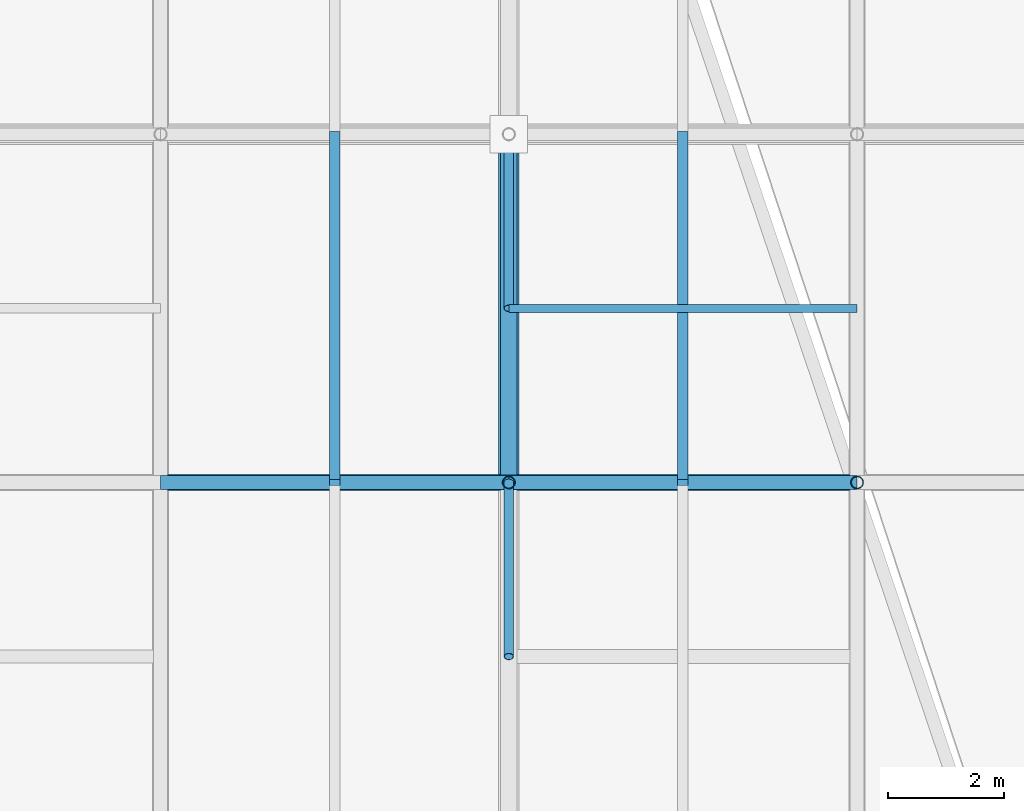
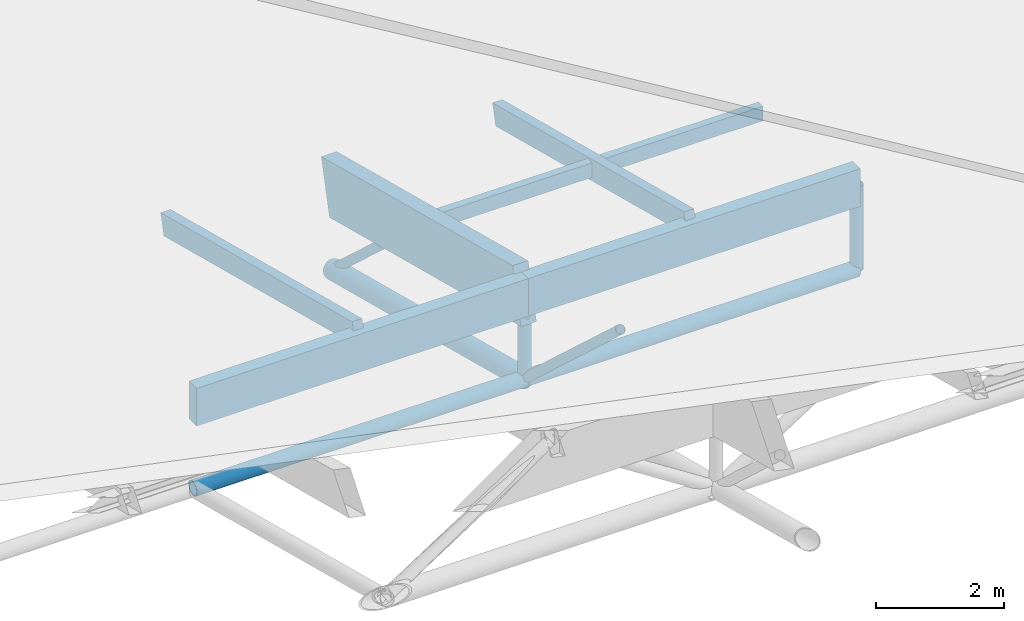
# One storey, part 53 of 80: 13 members.
"""IFC4 building model written with IfcOpenShell, lengths in metres."""

from ifc_helpers import new_model, si_unit, direction, frame, origin, origin_2d, place, context, subcontext, project, spatial, rectangle, hollow_circle, extrude, material, material_profile, profile_set, type_object, element, save


model = new_model("IFC4")

# Units and contexts
model_context = context("Model", 3, precision=1e-05, world=origin(), true_north=direction((0.0, 1.0)))
body_context = subcontext(model_context, "Body", "Model", "MODEL_VIEW")
ifc_project = project(units=[si_unit("LENGTHUNIT", "METRE"), si_unit("AREAUNIT", "SQUARE_METRE"), si_unit("VOLUMEUNIT", "CUBIC_METRE"), si_unit("PLANEANGLEUNIT", "RADIAN"), si_unit("MASSUNIT", "GRAM", prefix="KILO"), si_unit("THERMODYNAMICTEMPERATUREUNIT", "KELVIN"), si_unit("POWERUNIT", "WATT")], contexts=[model_context])

# Site, building, storey
site_placement = place(None, origin())
site = spatial("IfcSite", under=ifc_project, at=site_placement, CompositionType="ELEMENT")
building_placement = place(site_placement, origin())
building = spatial("IfcBuilding", under=site, at=building_placement, Name="Solmara Park Aquatics Centre", CompositionType="ELEMENT")
storey_placement = place(building_placement, frame((0.0, 0.0, 22.800048828125)))
storey = spatial("IfcBuildingStorey", under=building, at=storey_placement, Name="RF", CompositionType="ELEMENT", Elevation=22.800048828125)

# Members
ifc_material_1 = material(Name="Structural Steel S355", Category="steel")
ifc_material_profile_1 = material_profile(ifc_material_1, hollow_circle(Radius=0.084228515625, WallThickness=0.008056640625, at=origin_2d()), Name="CHS 168.3x8")
ifc_profile_set_1 = profile_set([ifc_material_profile_1], Name="Structural Steel S355")
member_type_1 = type_object("IfcMemberType", Name="STR-BRC-CHS168", PredefinedType="BRACE", material=ifc_profile_set_1)
member_1_placement = place(storey_placement, frame((36.60009765625, 66.60009765625, -9.58984375), z_axis=(0.0, -0.736437262703, 0.67650584484), x_axis=(1.0, 0.0, 0.0)))
element("IfcMember", 1, at=member_1_placement, inside=storey, type_object=member_type_1, Name="Roof Truss Web Diagonal Y 2099", PredefinedType="BRACE", context=body_context, shape_type="SweptSolid", body=[
    extrude(hollow_circle(Radius=0.084228515625, WallThickness=0.008056640625, at=origin_2d()), origin(), (0.0, 0.0, 1.0), 4.07373046875),
])
member_2_placement = place(storey_placement, frame((36.60009765625, 72.60009765625, -11.141357421875), z_axis=(0.0, -0.736467121275, 0.676473339667), x_axis=(1.0, 0.0, 0.0)))
element("IfcMember", 2, at=member_2_placement, inside=storey, type_object=member_type_1, Name="Roof Truss Web Diagonal Y 2122", PredefinedType="BRACE", context=body_context, shape_type="SweptSolid", body=[
    extrude(hollow_circle(Radius=0.084228515625, WallThickness=0.008056640625, at=origin_2d()), origin(), (0.0, 0.0, 1.0), 4.073486328125),
])
ifc_material_profile_2 = material_profile(ifc_material_1, hollow_circle(Radius=0.136474609375, WallThickness=0.012451171875, at=origin_2d()), Name="CHS 273x12.5")
ifc_profile_set_2 = profile_set([ifc_material_profile_2], Name="Structural Steel S355")
member_type_2 = type_object("IfcMemberType", Name="STR-CHD-CHS273", PredefinedType="CHORD", material=ifc_profile_set_2)
for number, where, z_axis, x_axis, name in (
    (3, (30.60009765625, 66.60009765625, -9.58984375), (1.0, 0.0, 0.0), (0.0, 1.0, 0.0), "Steel Roof Truss Bottom Chord X 0408"),
    (4, (36.60009765625, 66.60009765625, -9.58984375), (1.0, 0.0, 0.0), (0.0, 1.0, 0.0), "Steel Roof Truss Bottom Chord X 0410"),
):
    element("IfcMember", number, at=place(storey_placement, frame(where, z_axis=z_axis, x_axis=x_axis)), inside=storey, type_object=member_type_2, Name=name, PredefinedType="CHORD", context=body_context, shape_type="SweptSolid", body=[
        extrude(hollow_circle(Radius=0.136474609375, WallThickness=0.012451171875, at=origin_2d()), origin(), (0.0, 0.0, 1.0), 6.0),
    ])
ifc_material_profile_3 = material_profile(ifc_material_1, hollow_circle(Radius=0.177734375, WallThickness=0.01611328125, at=origin_2d()), Name="CHS 355.6x16")
ifc_profile_set_3 = profile_set([ifc_material_profile_3], Name="Structural Steel S355")
member_type_3 = type_object("IfcMemberType", Name="STR-CHD-CHS355", PredefinedType="CHORD", material=ifc_profile_set_3)
member_3_placement = place(storey_placement, frame((36.60009765625, 66.60009765625, -9.58984375), z_axis=(0.0, 0.968155143395, -0.250350990246), x_axis=(-1.0, 0.0, 0.0)))
element("IfcMember", 5, at=member_3_placement, inside=storey, type_object=member_type_3, Name="Steel Roof Truss Bottom Chord Y 0732", PredefinedType="CHORD", context=body_context, shape_type="SweptSolid", body=[
    extrude(hollow_circle(Radius=0.177734375, WallThickness=0.01611328125, at=origin_2d()), origin(), (0.0, 0.0, 1.0), 6.197265625),
])
ifc_material_2 = material(Name="Glulam Timber GL28h", Category="wood")
ifc_material_profile_4 = material_profile(ifc_material_2, rectangle(XDim=0.239990234375, YDim=0.719970703125, at=origin_2d()), Name="GL28h 240x720")
ifc_profile_set_4 = profile_set([ifc_material_profile_4], Name="Glulam Timber GL28h")
member_type_4 = type_object("IfcMemberType", Name="STR-CHD-GL240x720", PredefinedType="CHORD", material=ifc_profile_set_4)
for number, where, z_axis, x_axis, name in (
    (6, (30.60009765625, 66.60009765625, -7.9697265625), (1.0, 0.0, 0.0), (0.0, 1.0, 0.0), "Glulam Roof Truss Top Chord X 0407"),
    (7, (36.60009765625, 66.60009765625, -7.9697265625), (1.0, 0.0, 0.0), (0.0, 1.0, 0.0), "Glulam Roof Truss Top Chord X 0409"),
):
    element("IfcMember", number, at=place(storey_placement, frame(where, z_axis=z_axis, x_axis=x_axis)), inside=storey, type_object=member_type_4, Name=name, PredefinedType="CHORD", context=body_context, shape_type="SweptSolid", body=[
        extrude(rectangle(XDim=0.239990234375, YDim=0.719970703125, at=origin_2d()), origin(), (0.0, 0.0, 1.0), 6.0),
    ])
ifc_material_profile_5 = material_profile(ifc_material_2, rectangle(XDim=0.280029296875, YDim=1.0400390625, at=origin_2d()), Name="GL28h 280x1040")
ifc_profile_set_5 = profile_set([ifc_material_profile_5], Name="Glulam Timber GL28h")
member_type_5 = type_object("IfcMemberType", Name="STR-CHD-GL280x1040", PredefinedType="CHORD", material=ifc_profile_set_5)
member_4_placement = place(storey_placement, frame((36.60009765625, 66.60009765625, -7.9697265625), z_axis=(0.0, 0.968145594442, -0.250387914969), x_axis=(-1.0, 0.0, 0.0)))
element("IfcMember", 8, at=member_4_placement, inside=storey, type_object=member_type_5, Name="Glulam Roof Truss Top Chord Y 0731", PredefinedType="CHORD", context=body_context, shape_type="SweptSolid", body=[
    extrude(rectangle(XDim=0.280029296875, YDim=1.0400390625, at=origin_2d()), origin(), (0.0, 0.0, 1.0), 6.197509765625),
])
ifc_material_profile_6 = material_profile(ifc_material_2, rectangle(XDim=0.139892578125, YDim=0.280029296875, at=origin_2d()), Name="GL28h 140x280")
ifc_profile_set_6 = profile_set([ifc_material_profile_6], Name="Glulam Timber GL28h")
member_type_6 = type_object("IfcMemberType", Name="STR-PRL-GL140x280", PredefinedType="PURLIN", material=ifc_profile_set_6)
member_5_placement = place(storey_placement, frame((36.60009765625, 69.60009765625, -8.40576171875), z_axis=(1.0, 0.0, 0.0), x_axis=(0.0, 1.0, 0.0)))
element("IfcMember", 9, at=member_5_placement, inside=storey, type_object=member_type_6, Name="Glulam Secondary Roof Purlin 2111", PredefinedType="PURLIN", context=body_context, shape_type="SweptSolid", body=[
    extrude(rectangle(XDim=0.139892578125, YDim=0.280029296875, at=origin_2d()), origin(), (0.0, 0.0, 1.0), 6.0),
])
ifc_material_profile_7 = material_profile(ifc_material_2, rectangle(XDim=0.179931640625, YDim=0.39990234375, at=origin_2d()), Name="GL28h 180x400")
ifc_profile_set_7 = profile_set([ifc_material_profile_7], Name="Glulam Timber GL28h")
member_type_7 = type_object("IfcMemberType", Name="STR-PRL-GL180x400", PredefinedType="PURLIN", material=ifc_profile_set_7)
for number, where, z_axis, x_axis, name in (
    (10, (33.60009765625, 66.60009765625, -7.649658203125), (0.0, 0.968145594442, -0.250387914969), (-1.0, 0.0, 0.0), "Glulam Roof Purlin 1486"),
    (11, (39.60009765625, 66.60009765625, -7.649658203125), (0.0, 0.968145594442, -0.250387914969), (-1.0, 0.0, 0.0), "Glulam Roof Purlin 1514"),
):
    element("IfcMember", number, at=place(storey_placement, frame(where, z_axis=z_axis, x_axis=x_axis)), inside=storey, type_object=member_type_7, Name=name, PredefinedType="PURLIN", context=body_context, shape_type="SweptSolid", body=[
        extrude(rectangle(XDim=0.179931640625, YDim=0.39990234375, at=origin_2d()), origin(), (0.0, 0.0, 1.0), 6.197509765625),
    ])
ifc_material_profile_8 = material_profile(ifc_material_1, hollow_circle(Radius=0.109619140625, WallThickness=0.010009765625, at=origin_2d()), Name="CHS 219.1x10")
ifc_profile_set_8 = profile_set([ifc_material_profile_8], Name="Structural Steel S355")
member_type_8 = type_object("IfcMemberType", Name="STR-PST-CHS219", PredefinedType="POST", material=ifc_profile_set_8)
for number, where, z_axis, x_axis, name in (
    (12, (36.60009765625, 66.60009765625, -9.58984375), (0.0, 0.0, 1.0), (1.0, 0.0, 0.0), "Roof Truss Web Post 1167"),
    (13, (42.60009765625, 66.60009765625, -9.58984375), (0.0, 0.0, 1.0), (1.0, 0.0, 0.0), "Roof Truss Web Post 1182"),
):
    element("IfcMember", number, at=place(storey_placement, frame(where, z_axis=z_axis, x_axis=x_axis)), inside=storey, type_object=member_type_8, Name=name, PredefinedType="POST", context=body_context, shape_type="SweptSolid", body=[
        extrude(hollow_circle(Radius=0.109619140625, WallThickness=0.010009765625, at=origin_2d()), origin(), (0.0, 0.0, 1.0), 1.6201171875),
    ])

save(model, "model.ifc")
